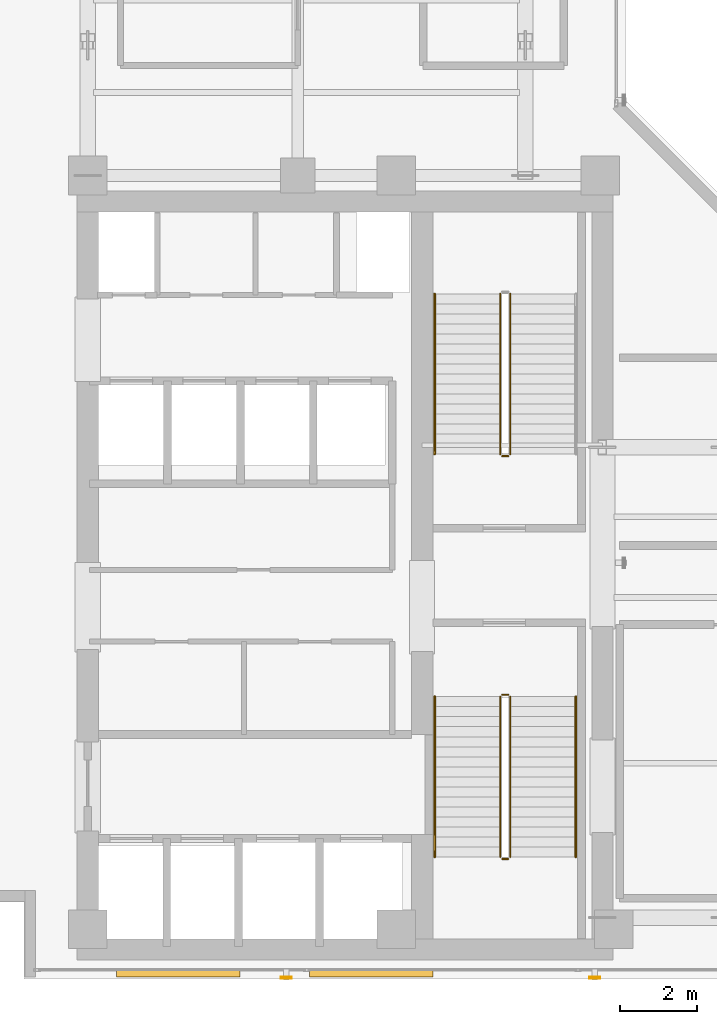
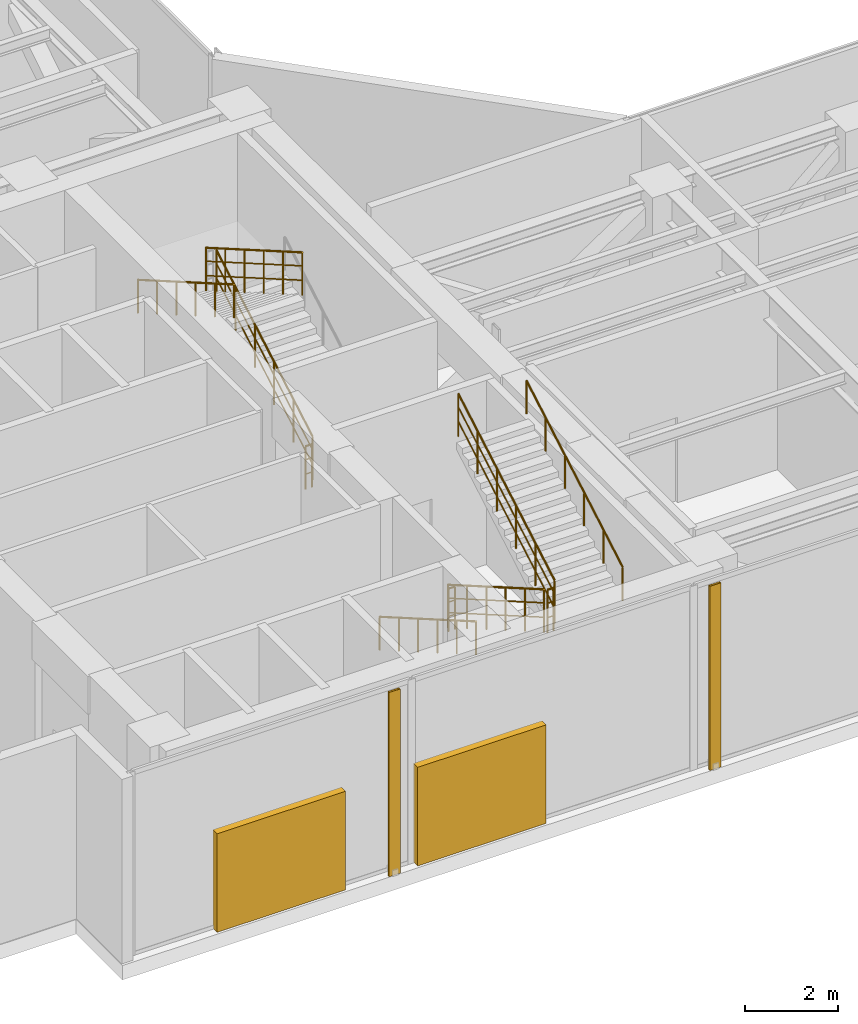
# One storey, part 29 of 31: 10 railings, 4 shading devices.
"""IFC4 building model written with IfcOpenShell, lengths in metres."""

from ifc_helpers import new_model, si_unit, direction, frame, origin, origin_with_axes, origin_2d, place, context, subcontext, project, spatial, rectangle, hollow_rectangle, circle, extrude, source, transform, mapped, material, material_profile, profile_set, type_object, element, save


model = new_model("IFC4")

# Units and contexts
model_context = context("Model", 3, precision=1e-05, world=origin(), true_north=direction((0.0, 1.0)))
body_context = subcontext(model_context, "Body", "Model", "MODEL_VIEW")
ifc_project = project(units=[si_unit("LENGTHUNIT", "METRE"), si_unit("AREAUNIT", "SQUARE_METRE"), si_unit("VOLUMEUNIT", "CUBIC_METRE"), si_unit("PLANEANGLEUNIT", "RADIAN"), si_unit("MASSUNIT", "GRAM", prefix="KILO")], contexts=[model_context])

# Site, building, storey
site_placement = place(None, origin())
site = spatial("IfcSite", under=ifc_project, at=site_placement, CompositionType="ELEMENT")
building_placement = place(site_placement, origin())
building = spatial("IfcBuilding", under=site, at=building_placement, Name="Kolvaren Waterfront Exchange", CompositionType="ELEMENT")
storey_placement = place(building_placement, frame((0.0, 0.0, 257.699951171875)))
storey = spatial("IfcBuildingStorey", under=building, at=storey_placement, Name="L66", CompositionType="ELEMENT", Elevation=257.699951171875)

# Shading devices
ifc_material_1 = material(Name="Anodised bronze aluminium 6063-T6", Category="aluminium")
ifc_material_profile = material_profile(ifc_material_1, hollow_rectangle(XDim=0.054931640625, YDim=0.280029296875, WallThickness=0.00439453125, at=origin_2d()), Name="BRZ-FIN-280x55x4.5")
ifc_profile_set = profile_set([ifc_material_profile], Name="Anodised bronze aluminium 6063-T6")
shading_device_type_1 = type_object("IfcShadingDeviceType", Name="ARC-FIN-280", PredefinedType="USERDEFINED", material=ifc_profile_set)
for number, where, z_axis, x_axis, name in (
    (1, (12.60009765625, 3.639892578125, 0.0), (0.0, 0.0, 1.0), (0.0, -1.0, 0.0), "L66 anodised bronze solar shading fin FIN-L66-S1"),
    (2, (20.60009765625, 3.639892578125, 0.0), (0.0, 0.0, 1.0), (0.0, -1.0, 0.0), "L66 anodised bronze solar shading fin FIN-L66-S2"),
):
    element("IfcShadingDevice", number, at=place(storey_placement, frame(where, z_axis=z_axis, x_axis=x_axis)), inside=storey, type_object=shading_device_type_1, Name=name, ObjectType="SOLAR FIN", PredefinedType="USERDEFINED", context=body_context, shape_type="SweptSolid", body=[
        extrude(hollow_rectangle(XDim=0.054931640625, YDim=0.280029296875, WallThickness=0.00439453125, at=origin_2d()), origin(), (0.0, 0.0, 1.0), 4.860107421875),
    ])

# Railings
ifc_material_2 = material(Name="Stainless steel 316", Category="steel")
railing_type_1 = type_object("IfcRailingType", Name="ARC-GUARD-STAIR", PredefinedType="GUARDRAIL", material=ifc_material_2)
railing_1_placement = place(storey_placement, frame((18.14990234375, 10.929931640625, 0.150146484375)))
element("IfcRailing", 3, at=railing_1_placement, inside=storey, type_object=railing_type_1, Name="L66 ST1 stair guard 1", PredefinedType="GUARDRAIL", context=body_context, shape_type="SweptSolid", body=[
    extrude(circle(Radius=0.02392578125, at=origin_2d()), frame((0.0, 0.0, 1.1259765625), z_axis=(0.0, -0.866189817626, 0.499715118684), x_axis=(1.0, 0.0, 0.0)), (0.0, 0.0, 1.0), 4.802490234375),
    extrude(circle(Radius=0.01611328125, at=origin_2d()), frame((0.0, 0.0, 0.390869140625), z_axis=(0.0, -0.866189817626, 0.499715118684), x_axis=(1.0, 0.0, 0.0)), (0.0, 0.0, 1.0), 4.802490234375),
    extrude(circle(Radius=0.01611328125, at=origin_2d()), frame((0.0, 0.0, 0.7705078125), z_axis=(0.0, -0.866189817626, 0.499715118684), x_axis=(1.0, 0.0, 0.0)), (0.0, 0.0, 1.0), 4.802490234375),
    extrude(circle(Radius=0.02099609375, at=origin_2d()), origin(), (0.0, 0.0, 1.0), 1.101806640625),
    extrude(circle(Radius=0.02099609375, at=origin_2d()), frame((0.0, -0.83203125, 0.47998046875)), (0.0, 0.0, 1.0), 1.101806640625),
    extrude(circle(Radius=0.02099609375, at=origin_2d()), frame((0.0, -1.6640625, 0.9599609375)), (0.0, 0.0, 1.0), 1.101806640625),
    extrude(circle(Radius=0.02099609375, at=origin_2d()), frame((0.0, -2.495849609375, 1.43994140625)), (0.0, 0.0, 1.0), 1.101806640625),
    extrude(circle(Radius=0.02099609375, at=origin_2d()), frame((0.0, -3.327880859375, 1.919921875)), (0.0, 0.0, 1.0), 1.101806640625),
    extrude(circle(Radius=0.02099609375, at=origin_2d()), frame((0.0, -4.159912109375, 2.39990234375)), (0.0, 0.0, 1.0), 1.101806640625),
])
railing_2_placement = place(storey_placement, frame((18.199951171875, 6.719970703125, 2.550048828125)))
element("IfcRailing", 4, at=railing_2_placement, inside=storey, type_object=railing_type_1, Name="L66 ST1 stair guard 2", PredefinedType="GUARDRAIL", context=body_context, shape_type="SweptSolid", body=[
    extrude(circle(Radius=0.02392578125, at=origin_2d()), frame((0.0, 0.0, 1.1259765625), z_axis=(1.0, 0.0, 0.0), x_axis=(0.0, 1.0, 0.0)), (0.0, 0.0, 1.0), 0.16015625),
    extrude(circle(Radius=0.01611328125, at=origin_2d()), frame((0.0, 0.0, 0.390869140625), z_axis=(1.0, 0.0, 0.0), x_axis=(0.0, 1.0, 0.0)), (0.0, 0.0, 1.0), 0.16015625),
    extrude(circle(Radius=0.01611328125, at=origin_2d()), frame((0.0, 0.0, 0.7705078125), z_axis=(1.0, 0.0, 0.0), x_axis=(0.0, 1.0, 0.0)), (0.0, 0.0, 1.0), 0.16015625),
    extrude(circle(Radius=0.02099609375, at=origin_2d()), origin(), (0.0, 0.0, 1.0), 1.101806640625),
    extrude(circle(Radius=0.02099609375, at=origin_2d()), frame((0.16015625, 0.0, 0.0)), (0.0, 0.0, 1.0), 1.101806640625),
])
railing_3_placement = place(storey_placement, frame((18.409912109375, 6.77001953125, 2.699951171875)))
element("IfcRailing", 5, at=railing_3_placement, inside=storey, type_object=railing_type_1, Name="L66 ST1 stair guard 3", PredefinedType="GUARDRAIL", context=body_context, shape_type="SweptSolid", body=[
    extrude(circle(Radius=0.02392578125, at=origin_2d()), frame((0.0, 0.0, 1.1259765625), z_axis=(0.0, 0.866167813198, 0.499753258498), x_axis=(-1.0, 0.0, 0.0)), (0.0, 0.0, 1.0), 4.802734375),
    extrude(circle(Radius=0.01611328125, at=origin_2d()), frame((0.0, 0.0, 0.390869140625), z_axis=(0.0, 0.866167813198, 0.499753258498), x_axis=(-1.0, 0.0, 0.0)), (0.0, 0.0, 1.0), 4.802734375),
    extrude(circle(Radius=0.01611328125, at=origin_2d()), frame((0.0, 0.0, 0.7705078125), z_axis=(0.0, 0.866167813198, 0.499753258498), x_axis=(-1.0, 0.0, 0.0)), (0.0, 0.0, 1.0), 4.802734375),
    extrude(circle(Radius=0.02099609375, at=origin_2d()), origin(), (0.0, 0.0, 1.0), 1.101806640625),
    extrude(circle(Radius=0.02099609375, at=origin_2d()), frame((0.0, 0.83203125, 0.47998046875)), (0.0, 0.0, 1.0), 1.101806640625),
    extrude(circle(Radius=0.02099609375, at=origin_2d()), frame((0.0, 1.6640625, 0.9599609375)), (0.0, 0.0, 1.0), 1.101806640625),
    extrude(circle(Radius=0.02099609375, at=origin_2d()), frame((0.0, 2.495849609375, 1.440185546875)), (0.0, 0.0, 1.0), 1.101806640625),
    extrude(circle(Radius=0.02099609375, at=origin_2d()), frame((0.0, 3.327880859375, 1.920166015625)), (0.0, 0.0, 1.0), 1.101806640625),
    extrude(circle(Radius=0.02099609375, at=origin_2d()), frame((0.0, 4.159912109375, 2.400146484375)), (0.0, 0.0, 1.0), 1.101806640625),
])
railing_4_placement = place(storey_placement, frame((18.199951171875, 10.97998046875, 0.0)))
element("IfcRailing", 6, at=railing_4_placement, inside=storey, type_object=railing_type_1, Name="L66 ST1 stair guard 4", PredefinedType="GUARDRAIL", context=body_context, shape_type="SweptSolid", body=[
    extrude(circle(Radius=0.02392578125, at=origin_2d()), frame((0.0, 0.0, 1.1259765625), z_axis=(1.0, 0.0, 0.0), x_axis=(0.0, 1.0, 0.0)), (0.0, 0.0, 1.0), 0.16015625),
    extrude(circle(Radius=0.01611328125, at=origin_2d()), frame((0.0, 0.0, 0.390869140625), z_axis=(1.0, 0.0, 0.0), x_axis=(0.0, 1.0, 0.0)), (0.0, 0.0, 1.0), 0.16015625),
    extrude(circle(Radius=0.01611328125, at=origin_2d()), frame((0.0, 0.0, 0.7705078125), z_axis=(1.0, 0.0, 0.0), x_axis=(0.0, 1.0, 0.0)), (0.0, 0.0, 1.0), 0.16015625),
    extrude(circle(Radius=0.02099609375, at=origin_2d()), origin(), (0.0, 0.0, 1.0), 1.101806640625),
    extrude(circle(Radius=0.02099609375, at=origin_2d()), frame((0.16015625, 0.0, 0.0)), (0.0, 0.0, 1.0), 1.101806640625),
])
railing_5_placement = place(storey_placement, frame((18.409912109375, 17.219970703125, 0.150146484375)))
element("IfcRailing", 7, at=railing_5_placement, inside=storey, type_object=railing_type_1, Name="L66 ST2 stair guard 1", PredefinedType="GUARDRAIL", context=body_context, shape_type="SweptSolid", body=[
    extrude(circle(Radius=0.02392578125, at=origin_2d()), frame((0.0, 0.0, 1.1259765625), z_axis=(0.0, 0.866189817626, 0.499715118684), x_axis=(-1.0, 0.0, 0.0)), (0.0, 0.0, 1.0), 4.802490234375),
    extrude(circle(Radius=0.01611328125, at=origin_2d()), frame((0.0, 0.0, 0.390869140625), z_axis=(0.0, 0.866189817626, 0.499715118684), x_axis=(-1.0, 0.0, 0.0)), (0.0, 0.0, 1.0), 4.802490234375),
    extrude(circle(Radius=0.01611328125, at=origin_2d()), frame((0.0, 0.0, 0.7705078125), z_axis=(0.0, 0.866189817626, 0.499715118684), x_axis=(-1.0, 0.0, 0.0)), (0.0, 0.0, 1.0), 4.802490234375),
    extrude(circle(Radius=0.02099609375, at=origin_2d()), origin(), (0.0, 0.0, 1.0), 1.101806640625),
    extrude(circle(Radius=0.02099609375, at=origin_2d()), frame((0.0, 0.83203125, 0.47998046875)), (0.0, 0.0, 1.0), 1.101806640625),
    extrude(circle(Radius=0.02099609375, at=origin_2d()), frame((0.0, 1.6640625, 0.9599609375)), (0.0, 0.0, 1.0), 1.101806640625),
    extrude(circle(Radius=0.02099609375, at=origin_2d()), frame((0.0, 2.495849609375, 1.43994140625)), (0.0, 0.0, 1.0), 1.101806640625),
    extrude(circle(Radius=0.02099609375, at=origin_2d()), frame((0.0, 3.327880859375, 1.919921875)), (0.0, 0.0, 1.0), 1.101806640625),
    extrude(circle(Radius=0.02099609375, at=origin_2d()), frame((0.0, 4.159912109375, 2.39990234375)), (0.0, 0.0, 1.0), 1.101806640625),
])
railing_6_placement = place(storey_placement, frame((18.14990234375, 21.3798828125, 2.699951171875)))
element("IfcRailing", 8, at=railing_6_placement, inside=storey, type_object=railing_type_1, Name="L66 ST2 stair guard 3", PredefinedType="GUARDRAIL", context=body_context, shape_type="SweptSolid", body=[
    extrude(circle(Radius=0.02392578125, at=origin_2d()), frame((0.0, 0.0, 1.1259765625), z_axis=(0.0, -0.866167813198, 0.499753258498), x_axis=(1.0, 0.0, 0.0)), (0.0, 0.0, 1.0), 4.802734375),
    extrude(circle(Radius=0.01611328125, at=origin_2d()), frame((0.0, 0.0, 0.390869140625), z_axis=(0.0, -0.866167813198, 0.499753258498), x_axis=(1.0, 0.0, 0.0)), (0.0, 0.0, 1.0), 4.802734375),
    extrude(circle(Radius=0.01611328125, at=origin_2d()), frame((0.0, 0.0, 0.7705078125), z_axis=(0.0, -0.866167813198, 0.499753258498), x_axis=(1.0, 0.0, 0.0)), (0.0, 0.0, 1.0), 4.802734375),
    extrude(circle(Radius=0.02099609375, at=origin_2d()), origin(), (0.0, 0.0, 1.0), 1.101806640625),
    extrude(circle(Radius=0.02099609375, at=origin_2d()), frame((0.0, -0.83203125, 0.47998046875)), (0.0, 0.0, 1.0), 1.101806640625),
    extrude(circle(Radius=0.02099609375, at=origin_2d()), frame((0.0, -1.6640625, 0.9599609375)), (0.0, 0.0, 1.0), 1.101806640625),
    extrude(circle(Radius=0.02099609375, at=origin_2d()), frame((0.0, -2.495849609375, 1.440185546875)), (0.0, 0.0, 1.0), 1.101806640625),
    extrude(circle(Radius=0.02099609375, at=origin_2d()), frame((0.0, -3.327880859375, 1.920166015625)), (0.0, 0.0, 1.0), 1.101806640625),
    extrude(circle(Radius=0.02099609375, at=origin_2d()), frame((0.0, -4.159912109375, 2.400146484375)), (0.0, 0.0, 1.0), 1.101806640625),
])
railing_7_placement = place(storey_placement, frame((18.360107421875, 17.169921875, 0.0)))
element("IfcRailing", 9, at=railing_7_placement, inside=storey, type_object=railing_type_1, Name="L66 ST2 stair guard 4", PredefinedType="GUARDRAIL", context=body_context, shape_type="SweptSolid", body=[
    extrude(circle(Radius=0.02392578125, at=origin_2d()), frame((0.0, 0.0, 1.1259765625), z_axis=(-1.0, 0.0, 0.0), x_axis=(0.0, -1.0, 0.0)), (0.0, 0.0, 1.0), 0.16015625),
    extrude(circle(Radius=0.01611328125, at=origin_2d()), frame((0.0, 0.0, 0.390869140625), z_axis=(-1.0, 0.0, 0.0), x_axis=(0.0, -1.0, 0.0)), (0.0, 0.0, 1.0), 0.16015625),
    extrude(circle(Radius=0.01611328125, at=origin_2d()), frame((0.0, 0.0, 0.7705078125), z_axis=(-1.0, 0.0, 0.0), x_axis=(0.0, -1.0, 0.0)), (0.0, 0.0, 1.0), 0.16015625),
    extrude(circle(Radius=0.02099609375, at=origin_2d()), origin(), (0.0, 0.0, 1.0), 1.101806640625),
    extrude(circle(Radius=0.02099609375, at=origin_2d()), frame((-0.16015625, 0.0, 0.0)), (0.0, 0.0, 1.0), 1.101806640625),
])
railing_type_2 = type_object("IfcRailingType", Name="ARC-HANDRAIL-900", PredefinedType="HANDRAIL", material=ifc_material_2)
railing_8_placement = place(storey_placement, frame((16.449951171875, 10.929931640625, 0.150146484375)))
element("IfcRailing", 10, at=railing_8_placement, inside=storey, type_object=railing_type_2, Name="L66 ST1 stair handrail 1", PredefinedType="HANDRAIL", context=body_context, shape_type="SweptSolid", body=[
    extrude(circle(Radius=0.02392578125, at=origin_2d()), frame((0.0, 0.0, 0.8759765625), z_axis=(0.0, -0.866189817626, 0.499715118684), x_axis=(1.0, 0.0, 0.0)), (0.0, 0.0, 1.0), 4.802490234375),
    extrude(circle(Radius=0.02099609375, at=origin_2d()), origin(), (0.0, 0.0, 1.0), 0.851806640625),
    extrude(circle(Radius=0.02099609375, at=origin_2d()), frame((0.0, -0.83203125, 0.47998046875)), (0.0, 0.0, 1.0), 0.851806640625),
    extrude(circle(Radius=0.02099609375, at=origin_2d()), frame((0.0, -1.6640625, 0.9599609375)), (0.0, 0.0, 1.0), 0.851806640625),
    extrude(circle(Radius=0.02099609375, at=origin_2d()), frame((0.0, -2.495849609375, 1.43994140625)), (0.0, 0.0, 1.0), 0.851806640625),
    extrude(circle(Radius=0.02099609375, at=origin_2d()), frame((0.0, -3.327880859375, 1.919921875)), (0.0, 0.0, 1.0), 0.851806640625),
    extrude(circle(Radius=0.02099609375, at=origin_2d()), frame((0.0, -4.159912109375, 2.39990234375)), (0.0, 0.0, 1.0), 0.851806640625),
])
railing_9_placement = place(storey_placement, frame((20.110107421875, 6.77001953125, 2.699951171875)))
element("IfcRailing", 11, at=railing_9_placement, inside=storey, type_object=railing_type_2, Name="L66 ST1 stair handrail 2", PredefinedType="HANDRAIL", context=body_context, shape_type="SweptSolid", body=[
    extrude(circle(Radius=0.02392578125, at=origin_2d()), frame((0.0, 0.0, 0.8759765625), z_axis=(0.0, 0.866167813198, 0.499753258498), x_axis=(-1.0, 0.0, 0.0)), (0.0, 0.0, 1.0), 4.802734375),
    extrude(circle(Radius=0.02099609375, at=origin_2d()), origin(), (0.0, 0.0, 1.0), 0.851806640625),
    extrude(circle(Radius=0.02099609375, at=origin_2d()), frame((0.0, 0.83203125, 0.47998046875)), (0.0, 0.0, 1.0), 0.851806640625),
    extrude(circle(Radius=0.02099609375, at=origin_2d()), frame((0.0, 1.6640625, 0.9599609375)), (0.0, 0.0, 1.0), 0.851806640625),
    extrude(circle(Radius=0.02099609375, at=origin_2d()), frame((0.0, 2.495849609375, 1.440185546875)), (0.0, 0.0, 1.0), 0.851806640625),
    extrude(circle(Radius=0.02099609375, at=origin_2d()), frame((0.0, 3.327880859375, 1.920166015625)), (0.0, 0.0, 1.0), 0.851806640625),
    extrude(circle(Radius=0.02099609375, at=origin_2d()), frame((0.0, 4.159912109375, 2.400146484375)), (0.0, 0.0, 1.0), 0.851806640625),
])
railing_10_placement = place(storey_placement, frame((16.449951171875, 21.3798828125, 2.699951171875)))
element("IfcRailing", 12, at=railing_10_placement, inside=storey, type_object=railing_type_2, Name="L66 ST2 stair handrail 2", PredefinedType="HANDRAIL", context=body_context, shape_type="SweptSolid", body=[
    extrude(circle(Radius=0.02392578125, at=origin_2d()), frame((0.0, 0.0, 0.8759765625), z_axis=(0.0, -0.866167813198, 0.499753258498), x_axis=(1.0, 0.0, 0.0)), (0.0, 0.0, 1.0), 4.802734375),
    extrude(circle(Radius=0.02099609375, at=origin_2d()), origin(), (0.0, 0.0, 1.0), 0.851806640625),
    extrude(circle(Radius=0.02099609375, at=origin_2d()), frame((0.0, -0.83203125, 0.47998046875)), (0.0, 0.0, 1.0), 0.851806640625),
    extrude(circle(Radius=0.02099609375, at=origin_2d()), frame((0.0, -1.6640625, 0.9599609375)), (0.0, 0.0, 1.0), 0.851806640625),
    extrude(circle(Radius=0.02099609375, at=origin_2d()), frame((0.0, -2.495849609375, 1.440185546875)), (0.0, 0.0, 1.0), 0.851806640625),
    extrude(circle(Radius=0.02099609375, at=origin_2d()), frame((0.0, -3.327880859375, 1.920166015625)), (0.0, 0.0, 1.0), 0.851806640625),
    extrude(circle(Radius=0.02099609375, at=origin_2d()), frame((0.0, -4.159912109375, 2.400146484375)), (0.0, 0.0, 1.0), 0.851806640625),
])

# Shading devices
shading_device_type_2 = type_object("IfcShadingDeviceType", Name="ARC-SHD-LOUVRE", PredefinedType="USERDEFINED", material=ifc_material_1)
shared_shape = source(origin_with_axes(), body_context, "Body", "SweptSolid", [
    extrude(rectangle(XDim=3.199951171875, YDim=0.179931640625, at=origin_2d()), origin(), (0.0, 0.0, 1.0), 2.60009765625),
])
for number, where, z_axis, x_axis, name in (
    (13, (9.800048828125, 3.75, 0.0), (0.0, 0.0, 1.0), (1.0, 0.0, 0.0), "L66 acoustic weather intake louvre 1"),
    (14, (14.800048828125, 3.75, 0.0), (0.0, 0.0, 1.0), (1.0, 0.0, 0.0), "L66 acoustic weather intake louvre 2"),
):
    element("IfcShadingDevice", number, at=place(storey_placement, frame(where, z_axis=z_axis, x_axis=x_axis)), inside=storey, type_object=shading_device_type_2, Name=name, ObjectType="LOUVRE", PredefinedType="USERDEFINED", context=body_context, shape_type="MappedRepresentation", body=[
        mapped(shared_shape, transform((0.0, 0.0, 0.0), x_axis=(1.0, 0.0, 0.0), y_axis=(0.0, 1.0, 0.0), z_axis=(0.0, 0.0, 1.0), scale=1.0)),
    ])

save(model, "model.ifc")
